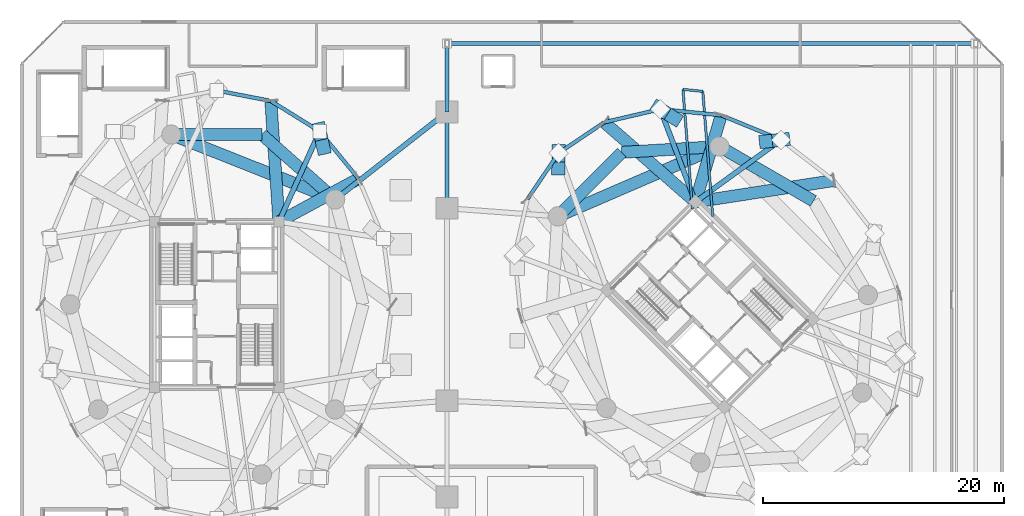
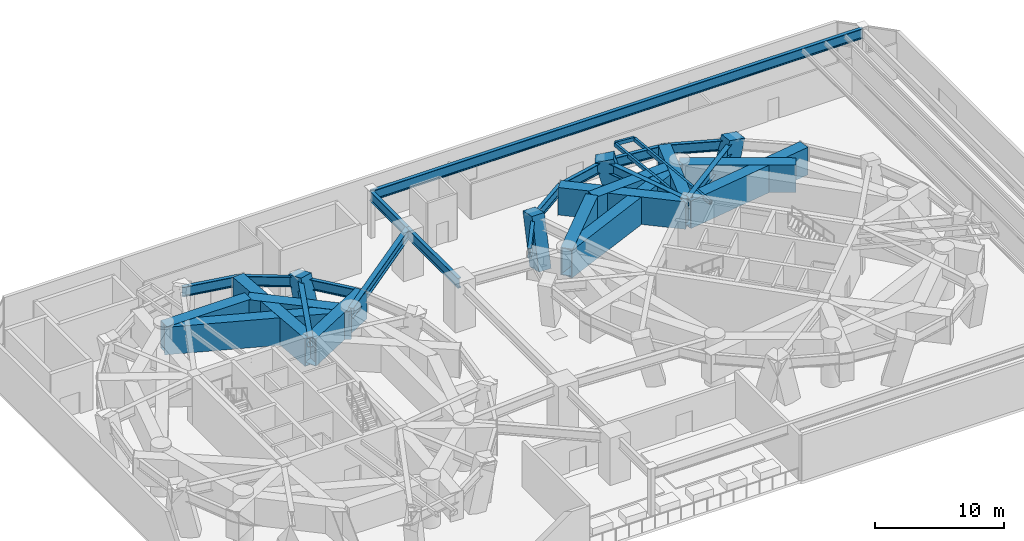
# One storey, part 7 of 25: 30 beams, 4 members.
"""IFC4 building model written with IfcOpenShell, lengths in metres."""

from ifc_helpers import new_model, si_unit, direction, frame, origin, origin_2d, place, context, subcontext, project, spatial, rectangle, hollow_rectangle, i_section, extrude, material, material_profile, profile_set, type_object, element, save


model = new_model("IFC4")

# Units and contexts
model_context = context("Model", 3, precision=1e-05, world=origin(), true_north=direction((0.0, 1.0)))
body_context = subcontext(model_context, "Body", "Model", "MODEL_VIEW")
ifc_project = project(units=[si_unit("LENGTHUNIT", "METRE"), si_unit("AREAUNIT", "SQUARE_METRE"), si_unit("VOLUMEUNIT", "CUBIC_METRE"), si_unit("PLANEANGLEUNIT", "RADIAN"), si_unit("MASSUNIT", "GRAM", prefix="KILO")], contexts=[model_context])

# Site, building, storey
site_placement = place(None, origin())
site = spatial("IfcSite", under=ifc_project, at=site_placement, CompositionType="ELEMENT")
building_placement = place(site_placement, origin())
building = spatial("IfcBuilding", under=site, at=building_placement, Name="Cununo Teusaquillo Station Towers", CompositionType="ELEMENT")
storey_placement = place(building_placement, frame((0.0, 0.0, 17.39990234375)))
storey = spatial("IfcBuildingStorey", under=building, at=storey_placement, Name="L04", CompositionType="ELEMENT", Elevation=17.39990234375)

# Beams
ifc_material_1 = material(Name="Steel EN 10025-2 S355J2", Category="steel")
ifc_material_profile_1 = material_profile(ifc_material_1, hollow_rectangle(XDim=0.199951171875, YDim=0.35009765625, WallThickness=0.013916015625, at=origin_2d()), Name="RHS 350x200x14")
ifc_profile_set_1 = profile_set([ifc_material_profile_1], Name="Steel EN 10025-2 S355J2")
beam_type_1 = type_object("IfcBeamType", Name="BM-BAL-CANT", PredefinedType="BEAM", material=ifc_profile_set_1)
beam_1_placement = place(storey_placement, frame((57.735595703125, 31.83056640625, 4.1650390625), z_axis=(-0.07929260011, 0.996851384895, 0.0), x_axis=(-0.996851384895, -0.07929260011, 0.0)))
element("IfcBeam", 1, at=beam_1_placement, inside=storey, type_object=beam_type_1, Name="L04 Tower B Balcony Cantilever Bracket 1A", PredefinedType="BEAM", context=body_context, shape_type="SweptSolid", body=[
    extrude(hollow_rectangle(XDim=0.199951171875, YDim=0.35009765625, WallThickness=0.013916015625, at=origin_2d()), origin(), (0.0, 0.0, 1.0), 10.419189453125),
])
beam_2_placement = place(storey_placement, frame((56.049072265625, 32.45361328125, 4.1650390625), z_axis=(-0.079285292015, 0.996851966177, 0.0), x_axis=(-0.996851966177, -0.079285292015, 0.0)))
element("IfcBeam", 2, at=beam_2_placement, inside=storey, type_object=beam_type_1, Name="L04 Tower B Balcony Cantilever Bracket 1B", PredefinedType="BEAM", context=body_context, shape_type="SweptSolid", body=[
    extrude(hollow_rectangle(XDim=0.199951171875, YDim=0.35009765625, WallThickness=0.013916015625, at=origin_2d()), origin(), (0.0, 0.0, 1.0), 9.958251953125),
])
ifc_material_2 = material(Name="Steel ASTM A572 Grade 50", Category="steel")
ifc_material_profile_2 = material_profile(ifc_material_2, i_section(OverallWidth=0.30810546875, OverallDepth=0.943115234375, WebThickness=0.022216796875, FlangeThickness=0.039794921875, FilletRadius=0.02392578125, at=origin_2d()), Name="W36X232")
ifc_profile_set_2 = profile_set([ifc_material_profile_2], Name="Steel ASTM A572 Grade 50")
beam_type_2 = type_object("IfcBeamType", Name="BM-POD-SEC", PredefinedType="BEAM", material=ifc_profile_set_2)
beam_3_placement = place(storey_placement, frame((28.2880859375, 34.956787109375, 3.8681640625), z_axis=(-0.633637559371, 0.77363004295, 0.0), x_axis=(-0.77363004295, -0.633637559371, 0.0)))
element("IfcBeam", 3, at=beam_3_placement, inside=storey, type_object=beam_type_2, Name="L04 Tower A Outer Diagrid Shoe Ring Girder 03", PredefinedType="BEAM", context=body_context, shape_type="SweptSolid", body=[
    extrude(i_section(OverallWidth=0.30810546875, OverallDepth=0.943115234375, WebThickness=0.022216796875, FlangeThickness=0.039794921875, FilletRadius=0.02392578125, at=origin_2d()), origin(), (0.0, 0.0, 1.0), 5.087158203125),
])
beam_4_placement = place(storey_placement, frame((25.064697265625, 38.892333984375, 3.8681640625), z_axis=(-0.849114591758, 0.528208680412, 0.0), x_axis=(-0.528208680412, -0.849114591758, 0.0)))
element("IfcBeam", 4, at=beam_4_placement, inside=storey, type_object=beam_type_2, Name="L04 Tower A Outer Diagrid Shoe Ring Girder 04", PredefinedType="BEAM", context=body_context, shape_type="SweptSolid", body=[
    extrude(i_section(OverallWidth=0.30810546875, OverallDepth=0.943115234375, WebThickness=0.022216796875, FlangeThickness=0.039794921875, FilletRadius=0.02392578125, at=origin_2d()), origin(), (0.0, 0.0, 1.0), 4.783935546875),
])
beam_5_placement = place(storey_placement, frame((21.002685546875, 41.419189453125, 3.8681640625), z_axis=(-0.981805791302, 0.189887830482, 0.0), x_axis=(-0.189887830482, -0.981805791302, 0.0)))
element("IfcBeam", 5, at=beam_5_placement, inside=storey, type_object=beam_type_2, Name="L04 Tower A Outer Diagrid Shoe Ring Girder 05", PredefinedType="BEAM", context=body_context, shape_type="SweptSolid", body=[
    extrude(i_section(OverallWidth=0.30810546875, OverallDepth=0.943115234375, WebThickness=0.022216796875, FlangeThickness=0.039794921875, FilletRadius=0.02392578125, at=origin_2d()), origin(), (0.0, 0.0, 1.0), 4.586181640625),
])
beam_6_placement = place(storey_placement, frame((63.41162109375, 38.186279296875, 3.8681640625), z_axis=(-0.924897172988, 0.380217331798, 0.0), x_axis=(-0.380217331798, -0.924897172988, 0.0)))
element("IfcBeam", 6, at=beam_6_placement, inside=storey, type_object=beam_type_2, Name="L04 Tower B Outer Diagrid Shoe Ring Girder 02", PredefinedType="BEAM", context=body_context, shape_type="SweptSolid", body=[
    extrude(i_section(OverallWidth=0.30810546875, OverallDepth=0.943115234375, WebThickness=0.022216796875, FlangeThickness=0.039794921875, FilletRadius=0.02392578125, at=origin_2d()), origin(), (0.0, 0.0, 1.0), 5.373779296875),
])
beam_7_placement = place(storey_placement, frame((58.44140625, 40.2294921875, 3.8681640625), z_axis=(-0.995086956443, 0.0990047934, 0.0), x_axis=(-0.0990047934, -0.995086956443, 0.0)))
element("IfcBeam", 7, at=beam_7_placement, inside=storey, type_object=beam_type_2, Name="L04 Tower B Outer Diagrid Shoe Ring Girder 03", PredefinedType="BEAM", context=body_context, shape_type="SweptSolid", body=[
    extrude(i_section(OverallWidth=0.30810546875, OverallDepth=0.943115234375, WebThickness=0.022216796875, FlangeThickness=0.039794921875, FilletRadius=0.02392578125, at=origin_2d()), origin(), (0.0, 0.0, 1.0), 5.087158203125),
])
beam_8_placement = place(storey_placement, frame((53.379150390625, 40.733154296875, 3.8681640625), z_axis=(-0.973916822154, -0.226905318414, 0.0), x_axis=(0.226905318414, -0.973916822154, 0.0)))
element("IfcBeam", 8, at=beam_8_placement, inside=storey, type_object=beam_type_2, Name="L04 Tower B Outer Diagrid Shoe Ring Girder 04", PredefinedType="BEAM", context=body_context, shape_type="SweptSolid", body=[
    extrude(i_section(OverallWidth=0.30810546875, OverallDepth=0.943115234375, WebThickness=0.022216796875, FlangeThickness=0.039794921875, FilletRadius=0.02392578125, at=origin_2d()), origin(), (0.0, 0.0, 1.0), 4.78369140625),
])
for number, where, z_axis, x_axis, name in (
    (9, (48.72021484375, 39.647705078125, 3.8681640625), (-0.828478827415, -0.560020385813, 0.0), (0.560020385813, -0.828478827415, 0.0), "L04 Tower B Outer Diagrid Shoe Ring Girder 05"),
    (10, (44.920654296875, 37.079345703125, 3.8681640625), (-0.560020385813, -0.828478827415, 0.0), (0.828478827415, -0.560020385813, 0.0), "L04 Tower B Outer Diagrid Shoe Ring Girder 06"),
):
    element("IfcBeam", number, at=place(storey_placement, frame(where, z_axis=z_axis, x_axis=x_axis)), inside=storey, type_object=beam_type_2, Name=name, PredefinedType="BEAM", context=body_context, shape_type="SweptSolid", body=[
        extrude(i_section(OverallWidth=0.30810546875, OverallDepth=0.943115234375, WebThickness=0.022216796875, FlangeThickness=0.039794921875, FilletRadius=0.02392578125, at=origin_2d()), origin(), (0.0, 0.0, 1.0), 4.586181640625),
    ])
beam_9_placement = place(storey_placement, frame((35.64990234375, 32.5, 3.86865234375), z_axis=(0.0, 1.0, 0.0), x_axis=(-1.0, 0.0, 0.0)))
element("IfcBeam", 11, at=beam_9_placement, inside=storey, type_object=beam_type_2, Name="L04 Station Podium Girder NS-3", PredefinedType="BEAM", context=body_context, shape_type="SweptSolid", body=[
    extrude(i_section(OverallWidth=0.30810546875, OverallDepth=0.943115234375, WebThickness=0.022216796875, FlangeThickness=0.039794921875, FilletRadius=0.02392578125, at=origin_2d()), origin(), (0.0, 0.0, 1.0), 8.0),
])
beam_10_placement = place(storey_placement, frame((35.64990234375, 40.5, 3.86865234375), z_axis=(0.0, 1.0, 0.0), x_axis=(-1.0, 0.0, 0.0)))
element("IfcBeam", 12, at=beam_10_placement, inside=storey, type_object=beam_type_2, Name="L04 Station Podium Girder NS-4", PredefinedType="BEAM", context=body_context, shape_type="SweptSolid", body=[
    extrude(i_section(OverallWidth=0.30810546875, OverallDepth=0.943115234375, WebThickness=0.022216796875, FlangeThickness=0.039794921875, FilletRadius=0.02392578125, at=origin_2d()), origin(), (0.0, 0.0, 1.0), 5.699951171875),
])
beam_11_placement = place(storey_placement, frame((35.64990234375, 46.199951171875, 3.86865234375), z_axis=(1.0, 0.0, 0.0), x_axis=(0.0, 1.0, 0.0)))
element("IfcBeam", 13, at=beam_11_placement, inside=storey, type_object=beam_type_2, Name="L04 Station Podium Girder CAN-N", PredefinedType="BEAM", context=body_context, shape_type="SweptSolid", body=[
    extrude(i_section(OverallWidth=0.30810546875, OverallDepth=0.943115234375, WebThickness=0.022216796875, FlangeThickness=0.039794921875, FilletRadius=0.02392578125, at=origin_2d()), origin(), (0.0, 0.0, 1.0), 43.9501953125),
])
ifc_material_3 = material(Name="Steel ASTM A572 Grade 50", Category="steel")
ifc_material_profile_3 = material_profile(ifc_material_3, i_section(OverallWidth=0.423095703125, OverallDepth=0.947998046875, WebThickness=0.02392578125, FlangeThickness=0.042724609375, FilletRadius=0.02392578125, at=origin_2d()), Name="W36X302")
ifc_profile_set_3 = profile_set([ifc_material_profile_3], Name="Steel ASTM A572 Grade 50")
beam_type_3 = type_object("IfcBeamType", Name="BM-POD-SPAN", PredefinedType="BEAM", material=ifc_profile_set_3)
beam_12_placement = place(storey_placement, frame((21.675048828125, 31.3798828125, 3.8662109375), z_axis=(0.41127716143, 0.911510338113, 0.0), x_axis=(-0.911510338113, 0.41127716143, 0.0)))
element("IfcBeam", 14, at=beam_12_placement, inside=storey, type_object=beam_type_3, Name="L04 Tower A Spandrel Support Girder V03", PredefinedType="BEAM", context=body_context, shape_type="SweptSolid", body=[
    extrude(i_section(OverallWidth=0.423095703125, OverallDepth=0.947998046875, WebThickness=0.02392578125, FlangeThickness=0.042724609375, FilletRadius=0.02392578125, at=origin_2d()), origin(), (0.0, 0.0, 1.0), 8.24169921875),
])
beam_13_placement = place(storey_placement, frame((56.29443359375, 33.024169921875, 3.8662109375), z_axis=(0.80949430453, 0.587127729658, 0.0), x_axis=(-0.587127729658, 0.80949430453, 0.0)))
element("IfcBeam", 15, at=beam_13_placement, inside=storey, type_object=beam_type_3, Name="L04 Tower B Spandrel Support Girder V01", PredefinedType="BEAM", context=body_context, shape_type="SweptSolid", body=[
    extrude(i_section(OverallWidth=0.423095703125, OverallDepth=0.947998046875, WebThickness=0.02392578125, FlangeThickness=0.042724609375, FilletRadius=0.02392578125, at=origin_2d()), origin(), (0.0, 0.0, 1.0), 8.792236328125),
])
beam_14_placement = place(storey_placement, frame((56.29443359375, 33.024169921875, 3.8662109375), z_axis=(-0.353719108867, 0.935351694296, 0.0), x_axis=(-0.935351694296, -0.353719108867, 0.0)))
element("IfcBeam", 16, at=beam_14_placement, inside=storey, type_object=beam_type_3, Name="L04 Tower B Spandrel Support Girder V03", PredefinedType="BEAM", context=body_context, shape_type="SweptSolid", body=[
    extrude(i_section(OverallWidth=0.423095703125, OverallDepth=0.947998046875, WebThickness=0.02392578125, FlangeThickness=0.042724609375, FilletRadius=0.02392578125, at=origin_2d()), origin(), (0.0, 0.0, 1.0), 8.24169921875),
])
beam_15_placement = place(storey_placement, frame((26.347412109375, 33.228515625, 3.8662109375), z_axis=(0.787863531103, 0.615849865112, 0.0), x_axis=(-0.615849865112, 0.787863531103, 0.0)))
element("IfcBeam", 17, at=beam_15_placement, inside=storey, type_object=beam_type_3, Name="L04 Station Podium Girder EW-N", PredefinedType="BEAM", context=body_context, shape_type="SweptSolid", body=[
    extrude(i_section(OverallWidth=0.423095703125, OverallDepth=0.947998046875, WebThickness=0.02392578125, FlangeThickness=0.042724609375, FilletRadius=0.02392578125, at=origin_2d()), origin(), (0.0, 0.0, 1.0), 11.80712890625),
])
ifc_material_4 = material(Name="Steel EN 10025-2 S355J2", Category="steel")
ifc_material_profile_4 = material_profile(ifc_material_4, hollow_rectangle(XDim=0.199951171875, YDim=0.35009765625, WallThickness=0.013916015625, at=origin_2d()), Name="RHS 350x200x14")
ifc_profile_set_4 = profile_set([ifc_material_profile_4], Name="Steel EN 10025-2 S355J2")
beam_type_4 = type_object("IfcBeamType", Name="BM-STAIR-TRIM", PredefinedType="BEAM", material=ifc_profile_set_4)
beam_16_placement = place(storey_placement, frame((56.909423828125, 42.217041015625, 4.215087890625), z_axis=(-0.995121390814, 0.098658084026, 0.0), x_axis=(-0.098658084026, -0.995121390814, 0.0)))
element("IfcBeam", 18, at=beam_16_placement, inside=storey, type_object=beam_type_4, Name="L04 Tower B Balcony Edge Trimmer Beam 1", PredefinedType="BEAM", context=body_context, shape_type="SweptSolid", body=[
    extrude(hollow_rectangle(XDim=0.199951171875, YDim=0.35009765625, WallThickness=0.013916015625, at=origin_2d()), origin(), (0.0, 0.0, 1.0), 1.657958984375),
])
ifc_material_5 = material(Name="Steel ASTM A572 Grade 50", Category="steel")
ifc_material_profile_5 = material_profile(ifc_material_5, hollow_rectangle(XDim=1.0, YDim=2.60009765625, WallThickness=0.054931640625, at=origin_2d()), Name="BOX 2600x1000x55")
ifc_profile_set_5 = profile_set([ifc_material_profile_5], Name="Steel ASTM A572 Grade 50")
beam_type_5 = type_object("IfcBeamType", Name="BM-XFER-POD", PredefinedType="USERDEFINED", material=ifc_profile_set_5)
beam_17_placement = place(storey_placement, frame((26.347412109375, 33.228515625, 3.025146484375), z_axis=(-0.929621249939, 0.368516392664, 0.0), x_axis=(-0.368516392664, -0.929621249939, 0.0)))
element("IfcBeam", 19, at=beam_17_placement, inside=storey, type_object=beam_type_5, Name="L04 Tower A Primary Column-to-Column Transfer Girder 02", ObjectType="TRANSFER GIRDER", PredefinedType="USERDEFINED", context=body_context, shape_type="SweptSolid", body=[
    extrude(hollow_rectangle(XDim=1.0, YDim=2.60009765625, WallThickness=0.054931640625, at=origin_2d()), origin(), (0.0, 0.0, 1.0), 14.63916015625),
])
beam_18_placement = place(storey_placement, frame((26.347412109375, 33.228515625, 3.0400390625), z_axis=(-0.74832120039, 0.66333655187, 0.0), x_axis=(-0.66333655187, -0.74832120039, 0.0)))
element("IfcBeam", 20, at=beam_18_placement, inside=storey, type_object=beam_type_5, Name="L04 Tower A Perimeter Transfer Girder 03", ObjectType="TRANSFER GIRDER", PredefinedType="USERDEFINED", context=body_context, shape_type="SweptSolid", body=[
    extrude(hollow_rectangle(XDim=1.0, YDim=2.60009765625, WallThickness=0.054931640625, at=origin_2d()), origin(), (0.0, 0.0, 1.0), 8.1328125),
])
beam_19_placement = place(storey_placement, frame((20.261474609375, 38.623291015625, 3.0400390625), z_axis=(-1.0, 0.0, 0.0), x_axis=(0.0, -1.0, 0.0)))
element("IfcBeam", 21, at=beam_19_placement, inside=storey, type_object=beam_type_5, Name="L04 Tower A Perimeter Transfer Girder 04", ObjectType="TRANSFER GIRDER", PredefinedType="USERDEFINED", context=body_context, shape_type="SweptSolid", body=[
    extrude(hollow_rectangle(XDim=1.0, YDim=2.60009765625, WallThickness=0.054931640625, at=origin_2d()), origin(), (0.0, 0.0, 1.0), 7.52294921875),
])
beam_20_placement = place(storey_placement, frame((21.675048828125, 31.3798828125, 3.0400390625), z_axis=(0.879579088989, 0.475752694384, 0.0), x_axis=(-0.475752694384, 0.879579088989, 0.0)))
element("IfcBeam", 22, at=beam_20_placement, inside=storey, type_object=beam_type_5, Name="L04 Tower A Radial Transfer Girder 02", ObjectType="TRANSFER GIRDER", PredefinedType="USERDEFINED", context=body_context, shape_type="SweptSolid", body=[
    extrude(hollow_rectangle(XDim=1.0, YDim=2.60009765625, WallThickness=0.054931640625, at=origin_2d()), origin(), (0.0, 0.0, 1.0), 7.518310546875),
])
beam_21_placement = place(storey_placement, frame((21.675048828125, 31.3798828125, 3.0400390625), z_axis=(-0.066823382544, 0.997764819757, 0.0), x_axis=(-0.997764819757, -0.066823382544, 0.0)))
element("IfcBeam", 23, at=beam_21_placement, inside=storey, type_object=beam_type_5, Name="L04 Tower A Radial Transfer Girder 03", ObjectType="TRANSFER GIRDER", PredefinedType="USERDEFINED", context=body_context, shape_type="SweptSolid", body=[
    extrude(hollow_rectangle(XDim=1.0, YDim=2.60009765625, WallThickness=0.054931640625, at=origin_2d()), origin(), (0.0, 0.0, 1.0), 10.061767578125),
])
beam_22_placement = place(storey_placement, frame((58.291015625, 37.63525390625, 3.025146484375), z_axis=(-0.917915648818, -0.396775580971, 0.0), x_axis=(0.396775580971, -0.917915648818, 0.0)))
element("IfcBeam", 24, at=beam_22_placement, inside=storey, type_object=beam_type_5, Name="L04 Tower B Primary Column-to-Column Transfer Girder 02", ObjectType="TRANSFER GIRDER", PredefinedType="USERDEFINED", context=body_context, shape_type="SweptSolid", body=[
    extrude(hollow_rectangle(XDim=1.0, YDim=2.60009765625, WallThickness=0.054931640625, at=origin_2d()), origin(), (0.0, 0.0, 1.0), 14.638916015625),
])
beam_23_placement = place(storey_placement, frame((66.10693359375, 33.10693359375, 3.0400390625), z_axis=(-0.865267103202, 0.501311121078, 0.0), x_axis=(-0.501311121078, -0.865267103202, 0.0)))
element("IfcBeam", 25, at=beam_23_placement, inside=storey, type_object=beam_type_5, Name="L04 Tower B Perimeter Transfer Girder 02", ObjectType="TRANSFER GIRDER", PredefinedType="USERDEFINED", context=body_context, shape_type="SweptSolid", body=[
    extrude(hollow_rectangle(XDim=1.0, YDim=2.60009765625, WallThickness=0.054931640625, at=origin_2d()), origin(), (0.0, 0.0, 1.0), 9.032958984375),
])
beam_24_placement = place(storey_placement, frame((58.291015625, 37.63525390625, 3.0400390625), z_axis=(-0.998190567048, -0.06012979176, 0.0), x_axis=(0.06012979176, -0.998190567048, 0.0)))
element("IfcBeam", 26, at=beam_24_placement, inside=storey, type_object=beam_type_5, Name="L04 Tower B Perimeter Transfer Girder 03", ObjectType="TRANSFER GIRDER", PredefinedType="USERDEFINED", context=body_context, shape_type="SweptSolid", body=[
    extrude(hollow_rectangle(XDim=1.0, YDim=2.60009765625, WallThickness=0.054931640625, at=origin_2d()), origin(), (0.0, 0.0, 1.0), 8.132568359375),
])
beam_25_placement = place(storey_placement, frame((50.173095703125, 37.146240234375, 3.0400390625), z_axis=(-0.707106781187, -0.707106781187, 0.0), x_axis=(0.707106781187, -0.707106781187, 0.0)))
element("IfcBeam", 27, at=beam_25_placement, inside=storey, type_object=beam_type_5, Name="L04 Tower B Perimeter Transfer Girder 04", ObjectType="TRANSFER GIRDER", PredefinedType="USERDEFINED", context=body_context, shape_type="SweptSolid", body=[
    extrude(hollow_rectangle(XDim=1.0, YDim=2.60009765625, WallThickness=0.054931640625, at=origin_2d()), origin(), (0.0, 0.0, 1.0), 7.522705078125),
])
beam_26_placement = place(storey_placement, frame((56.29443359375, 33.024169921875, 3.0400390625), z_axis=(0.988262136534, 0.152767632349, 0.0), x_axis=(-0.152767632349, 0.988262136534, 0.0)))
element("IfcBeam", 28, at=beam_26_placement, inside=storey, type_object=beam_type_5, Name="L04 Tower B Radial Transfer Girder 01", ObjectType="TRANSFER GIRDER", PredefinedType="USERDEFINED", context=body_context, shape_type="SweptSolid", body=[
    extrude(hollow_rectangle(XDim=1.0, YDim=2.60009765625, WallThickness=0.054931640625, at=origin_2d()), origin(), (0.0, 0.0, 1.0), 11.6455078125),
])
beam_27_placement = place(storey_placement, frame((56.29443359375, 33.024169921875, 3.0400390625), z_axis=(0.285562890649, 0.958359971767, 0.0), x_axis=(-0.958359971767, 0.285562890649, 0.0)))
element("IfcBeam", 29, at=beam_27_placement, inside=storey, type_object=beam_type_5, Name="L04 Tower B Radial Transfer Girder 02", ObjectType="TRANSFER GIRDER", PredefinedType="USERDEFINED", context=body_context, shape_type="SweptSolid", body=[
    extrude(hollow_rectangle(XDim=1.0, YDim=2.60009765625, WallThickness=0.054931640625, at=origin_2d()), origin(), (0.0, 0.0, 1.0), 7.518310546875),
])
beam_28_placement = place(storey_placement, frame((56.29443359375, 33.024169921875, 3.0400390625), z_axis=(-0.752769057476, 0.658284699888, 0.0), x_axis=(-0.658284699888, -0.752769057476, 0.0)))
element("IfcBeam", 30, at=beam_28_placement, inside=storey, type_object=beam_type_5, Name="L04 Tower B Radial Transfer Girder 03", ObjectType="TRANSFER GIRDER", PredefinedType="USERDEFINED", context=body_context, shape_type="SweptSolid", body=[
    extrude(hollow_rectangle(XDim=1.0, YDim=2.60009765625, WallThickness=0.054931640625, at=origin_2d()), origin(), (0.0, 0.0, 1.0), 10.061767578125),
])

# Members
ifc_material_6 = material(Name="Concrete C60/75", Category="concrete")
ifc_material_profile_6 = material_profile(ifc_material_6, rectangle(XDim=1.10009765625, YDim=1.5, at=origin_2d()), Name="RC-RECT-1500x1100")
ifc_profile_set_6 = profile_set([ifc_material_profile_6], Name="Concrete C60/75")
member_type = type_object("IfcMemberType", Name="MBR-VFOOT", PredefinedType="USERDEFINED", material=ifc_profile_set_6)
member_1_placement = place(storey_placement, frame((25.332763671875, 37.708251953125, 0.0), z_axis=(-0.056344818178, 0.248881938217, 0.966893501009), x_axis=(-0.975318201866, -0.220803997041, 0.0)))
element("IfcMember", 31, at=member_1_placement, inside=storey, type_object=member_type, Name="L04 Tower A Sloping Concrete V-Foot V02R", ObjectType="V FOOT STRUT", PredefinedType="USERDEFINED", context=body_context, shape_type="SweptSolid", body=[
    extrude(rectangle(XDim=1.10009765625, YDim=1.5, at=origin_2d()), origin(), (0.0, 0.0, 1.0), 4.757568359375),
])
member_2_placement = place(storey_placement, frame((62.341064453125, 38.071044921875, 0.0), z_axis=(0.226600017076, 0.024391153491, 0.973682445098), x_axis=(-0.10702147475, 0.994256709277, 0.0)))
element("IfcMember", 32, at=member_2_placement, inside=storey, type_object=member_type, Name="L04 Tower B Sloping Concrete V-Foot V02L", ObjectType="V FOOT STRUT", PredefinedType="USERDEFINED", context=body_context, shape_type="SweptSolid", body=[
    extrude(rectangle(XDim=1.10009765625, YDim=1.5, at=origin_2d()), origin(), (0.0, 0.0, 1.0), 4.724365234375),
])
member_3_placement = place(storey_placement, frame((54.40625, 40.08544921875, 0.0), z_axis=(-0.215883235996, 0.136139345162, 0.966881847547), x_axis=(-0.533410389831, -0.845856581236, 0.0)))
element("IfcMember", 33, at=member_3_placement, inside=storey, type_object=member_type, Name="L04 Tower B Sloping Concrete V-Foot V02R", ObjectType="V FOOT STRUT", PredefinedType="USERDEFINED", context=body_context, shape_type="SweptSolid", body=[
    extrude(rectangle(XDim=1.10009765625, YDim=1.5, at=origin_2d()), origin(), (0.0, 0.0, 1.0), 4.757568359375),
])
member_4_placement = place(storey_placement, frame((44.906494140625, 35.981201171875, 0.0), z_axis=(0.00299408399, 0.232196375625, 0.972664319592), x_axis=(-0.999916874756, 0.012893547963, 0.0)))
element("IfcMember", 34, at=member_4_placement, inside=storey, type_object=member_type, Name="L04 Tower B Sloping Concrete V-Foot V06L", ObjectType="V FOOT STRUT", PredefinedType="USERDEFINED", context=body_context, shape_type="SweptSolid", body=[
    extrude(rectangle(XDim=1.10009765625, YDim=1.5, at=origin_2d()), origin(), (0.0, 0.0, 1.0), 4.7294921875),
])

save(model, "model.ifc")
